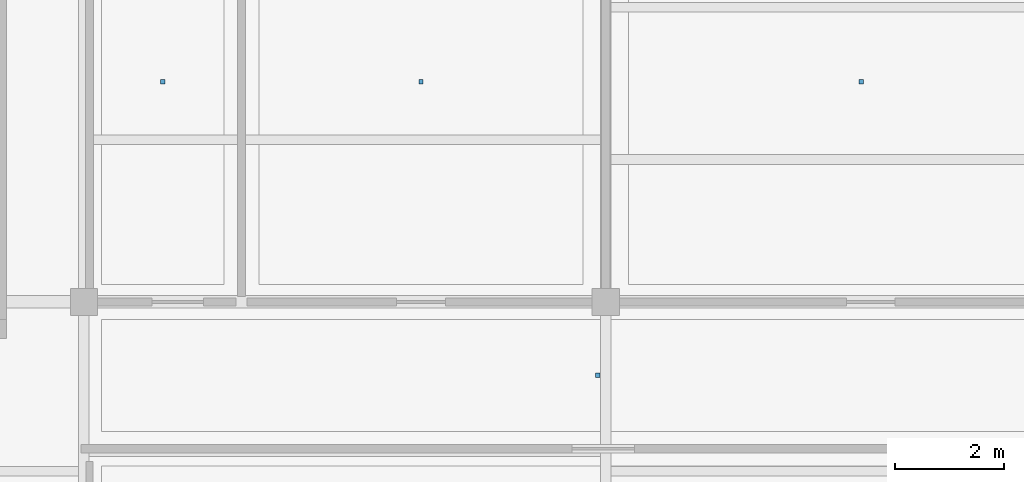
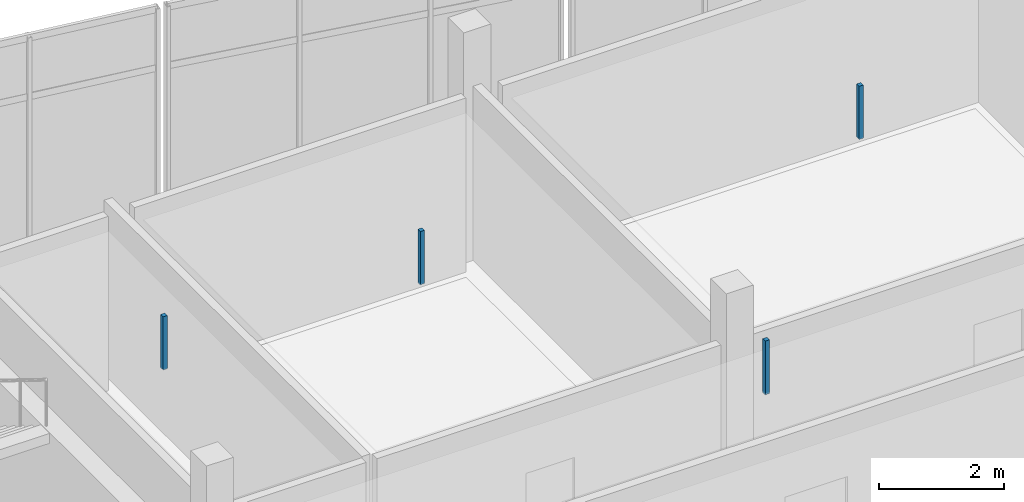
# One storey, part 111 of 114: 4 discrete accessories.
"""IFC4 building model written with IfcOpenShell, lengths in metres."""

from ifc_helpers import new_model, si_unit, direction, frame, origin, origin_2d, place, context, subcontext, project, spatial, rectangle, extrude, material, type_object, element, save


model = new_model("IFC4")

# Units and contexts
model_context = context("Model", 3, precision=1e-05, world=origin(), true_north=direction((0.0, 1.0)))
body_context = subcontext(model_context, "Body", "Model", "MODEL_VIEW")
ifc_project = project(units=[si_unit("LENGTHUNIT", "METRE"), si_unit("AREAUNIT", "SQUARE_METRE"), si_unit("VOLUMEUNIT", "CUBIC_METRE"), si_unit("PLANEANGLEUNIT", "RADIAN"), si_unit("MASSUNIT", "GRAM", prefix="KILO")], contexts=[model_context])

# Site, building, storey
site_placement = place(None, origin())
site = spatial("IfcSite", under=ifc_project, at=site_placement, CompositionType="ELEMENT")
building_placement = place(site_placement, origin())
building = spatial("IfcBuilding", under=site, at=building_placement, Name="Chalmorin Arch Market", CompositionType="ELEMENT")
storey_placement = place(building_placement, frame((0.0, 0.0, 9.60009765625)))
storey = spatial("IfcBuildingStorey", under=building, at=storey_placement, Name="L02", CompositionType="ELEMENT", Elevation=9.60009765625)

# Discrete accessories
ifc_material = material(Name="Galvanized Cold-Formed Steel", Category="steel")
discrete_accessory_type = type_object("IfcDiscreteAccessoryType", Name="CeilingSuspensionBracket-80x80", PredefinedType="BRACKET", material=ifc_material)
discrete_accessory_placement = place(storey_placement, frame((105.449951171875, 108.25, 3.20263671875), z_axis=(0.0, 0.0, 1.0), x_axis=(1.0, 0.0, 0.0)))
element("IfcDiscreteAccessory", 1, at=discrete_accessory_placement, inside=storey, type_object=discrete_accessory_type, Name="CSB-243", PredefinedType="BRACKET", context=body_context, shape_type="SweptSolid", body=[
    extrude(rectangle(XDim=0.080078125, YDim=0.080078125, at=origin_2d()), origin(), (0.0, 0.0, 1.0), 1.047119140625),
])
for number, where, z_axis, x_axis, name in (
    (2, (97.449951171875, 113.64990234375, 3.2119140625), (0.0, 0.0, 1.0), (1.0, 0.0, 0.0), "CSB-245"),
    (3, (102.199951171875, 113.64990234375, 3.2119140625), (0.0, 0.0, 1.0), (1.0, 0.0, 0.0), "CSB-247"),
    (4, (110.300048828125, 113.64990234375, 3.2119140625), (0.0, 0.0, 1.0), (1.0, 0.0, 0.0), "CSB-249"),
):
    element("IfcDiscreteAccessory", number, at=place(storey_placement, frame(where, z_axis=z_axis, x_axis=x_axis)), inside=storey, type_object=discrete_accessory_type, Name=name, PredefinedType="BRACKET", context=body_context, shape_type="SweptSolid", body=[
        extrude(rectangle(XDim=0.080078125, YDim=0.080078125, at=origin_2d()), origin(), (0.0, 0.0, 1.0), 1.0380859375),
    ])

save(model, "model.ifc")
